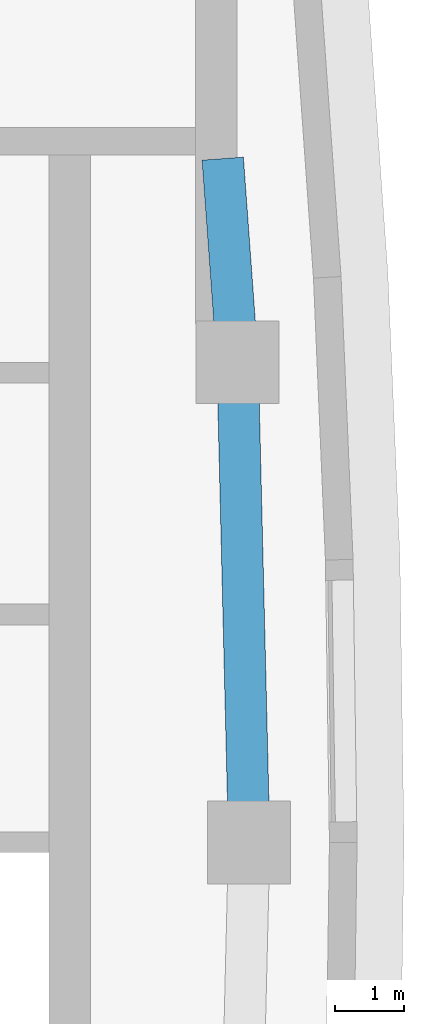
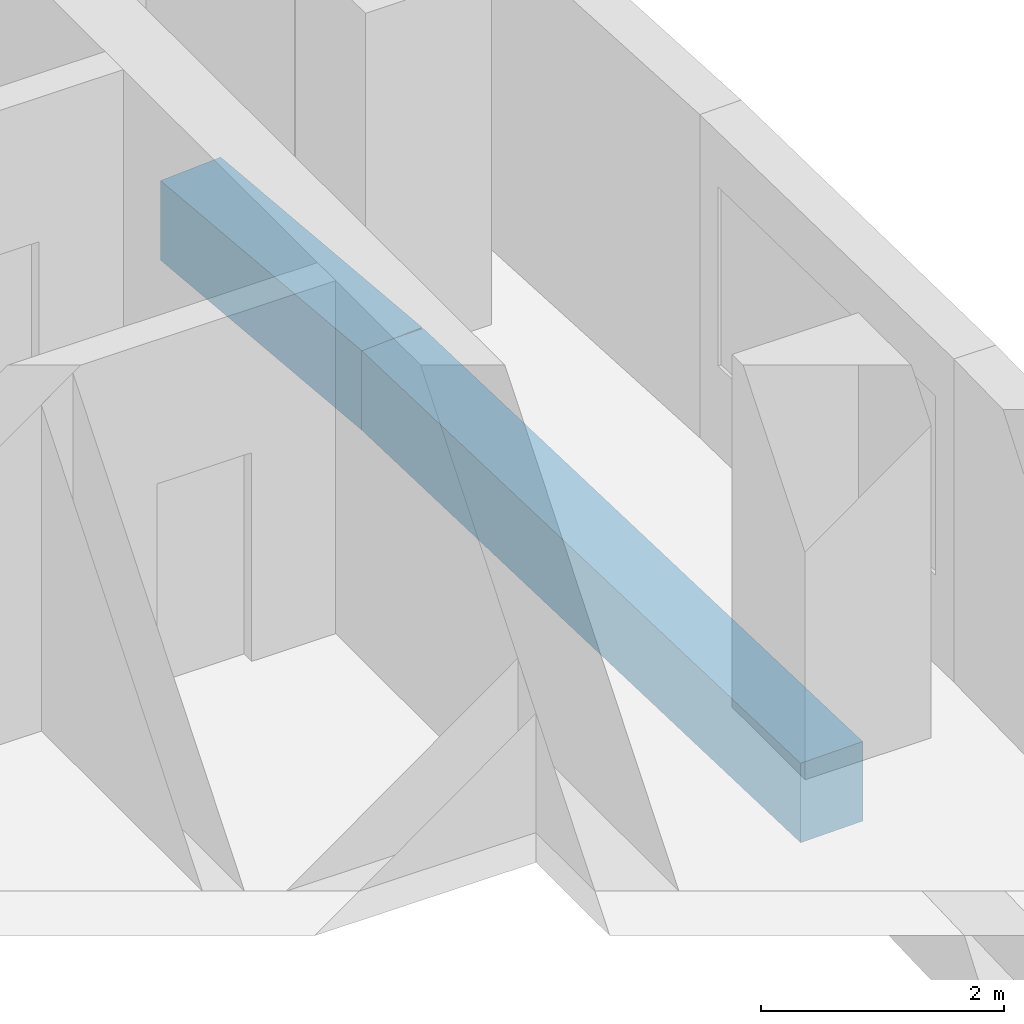
# One storey, part 5 of 16: 2 beams.
"""IFC4 building model written with IfcOpenShell, lengths in metres."""

from ifc_helpers import new_model, si_unit, direction, frame, origin, origin_2d, place, context, subcontext, project, spatial, rectangle, extrude, material, material_profile, profile_set, type_object, element, save


model = new_model("IFC4")

# Units and contexts
model_context = context("Model", 3, precision=1e-05, world=origin(), true_north=direction((0.0, 1.0)))
body_context = subcontext(model_context, "Body", "Model", "MODEL_VIEW")
ifc_project = project(units=[si_unit("LENGTHUNIT", "METRE"), si_unit("AREAUNIT", "SQUARE_METRE"), si_unit("VOLUMEUNIT", "CUBIC_METRE"), si_unit("PLANEANGLEUNIT", "RADIAN"), si_unit("MASSUNIT", "GRAM", prefix="KILO")], contexts=[model_context])

# Site, building, storey
site_placement = place(None, origin())
site = spatial("IfcSite", under=ifc_project, at=site_placement, CompositionType="ELEMENT")
building_placement = place(site_placement, origin())
building = spatial("IfcBuilding", under=site, at=building_placement, Name="Ostrand Prow Hotel Tower", CompositionType="ELEMENT")
storey_placement = place(building_placement, frame((0.0, 0.0, 224.35009765625)))
storey = spatial("IfcBuildingStorey", under=building, at=storey_placement, Name="L56", CompositionType="ELEMENT", Elevation=224.35009765625)

# Beams
ifc_material = material(Name="Concrete C50/60", Category="concrete")
ifc_material_profile = material_profile(ifc_material, rectangle(XDim=0.60009765625, YDim=0.800048828125, at=origin_2d()), Name="RC 600x800")
ifc_profile_set = profile_set([ifc_material_profile], Name="Concrete C50/60")
beam_type = type_object("IfcBeamType", Name="Edge beam 600x800 C50/60", PredefinedType="SPANDREL", material=ifc_profile_set)
beam_1_placement = place(storey_placement, frame((64.5, 0.0, -0.7001953125), z_axis=(-0.024223820991, 0.999706560195, 0.0), x_axis=(-0.999706560195, -0.024223820991, 0.0)))
element("IfcBeam", 1, at=beam_1_placement, inside=storey, type_object=beam_type, Name="Edge beam B3-B4", PredefinedType="SPANDREL", context=body_context, shape_type="SweptSolid", body=[
    extrude(rectangle(XDim=0.60009765625, YDim=0.800048828125, at=origin_2d()), origin(), (0.0, 0.0, 1.0), 6.9541015625),
])
beam_2_placement = place(storey_placement, frame((64.33154296875, 6.9521484375, -0.7001953125), z_axis=(-0.072691068771, 0.997354504938, 0.0), x_axis=(-0.997354504938, -0.072691068771, 0.0)))
element("IfcBeam", 2, at=beam_2_placement, inside=storey, type_object=beam_type, Name="Edge beam B4-B5", PredefinedType="SPANDREL", context=body_context, shape_type="SweptSolid", body=[
    extrude(rectangle(XDim=0.60009765625, YDim=0.800048828125, at=origin_2d()), origin(), (0.0, 0.0, 1.0), 2.95556640625),
])

save(model, "model.ifc")
